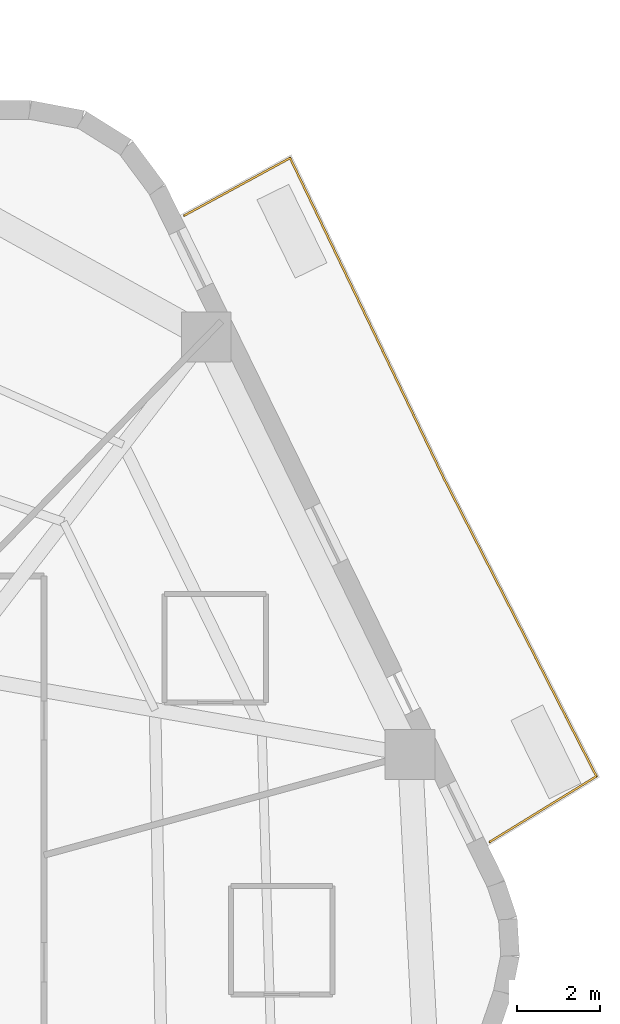
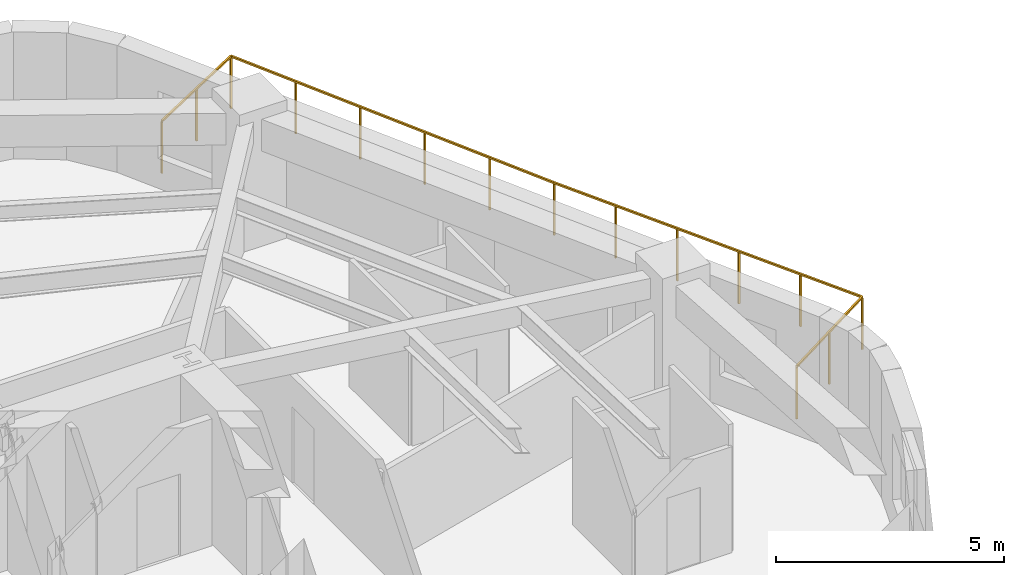
# One storey, part 9 of 9: 1 railing.
"""IFC4 building model written with IfcOpenShell, lengths in metres."""

from ifc_helpers import new_model, si_unit, direction, frame, origin, origin_2d, place, context, subcontext, project, spatial, rectangle, extrude, material, layer, layer_set, type_object, element, save


model = new_model("IFC4")

# Units and contexts
model_context = context("Model", 3, precision=1e-05, world=origin(), true_north=direction((0.0, 1.0)))
body_context = subcontext(model_context, "Body", "Model", "MODEL_VIEW")
ifc_project = project(units=[si_unit("LENGTHUNIT", "METRE"), si_unit("AREAUNIT", "SQUARE_METRE"), si_unit("VOLUMEUNIT", "CUBIC_METRE"), si_unit("PLANEANGLEUNIT", "RADIAN"), si_unit("MASSUNIT", "GRAM", prefix="KILO")], contexts=[model_context])

# Site, building, storey
site_placement = place(None, origin())
site = spatial("IfcSite", under=ifc_project, at=site_placement, CompositionType="ELEMENT")
building_placement = place(site_placement, origin())
building = spatial("IfcBuilding", under=site, at=building_placement, Name="Kilnhurst Terrace Hotel", CompositionType="ELEMENT")
storey_placement = place(building_placement, frame((0.0, 0.0, 128.39990234375)))
storey = spatial("IfcBuildingStorey", under=building, at=storey_placement, Name="L31", CompositionType="ELEMENT", Elevation=128.39990234375)

# Railing
ifc_material = material(Name="Laminated SentryGlas and Stainless Steel AISI 316L Balustrade", Category="steel")
ifc_layer = layer(ifc_material, 0.070068359375, Name="Laminated SentryGlas and Stainless Steel AISI 316L Balustrade")
ifc_layer_set = layer_set([ifc_layer], Name="Laminated SentryGlas and Stainless Steel AISI 316L Balustrade")
railing_type = type_object("IfcRailingType", Name="RLG-BAL-1420", PredefinedType="BALUSTRADE", material=ifc_layer_set)
railing_placement = place(storey_placement, frame((14.722900390625, 18.529541015625, 0.0)))
element("IfcRailing", 1, at=railing_placement, inside=storey, type_object=railing_type, Name="L31 Exterior Terrace Guardrail BAL-L1A.1", PredefinedType="BALUSTRADE", context=body_context, shape_type="SweptSolid", body=[
    extrude(rectangle(XDim=0.048095703125, YDim=0.048095703125, at=origin_2d()), frame((0.0, 0.0, 1.39599609375), z_axis=(0.878553207741, 0.477644492451, 0.0), x_axis=(-0.477644492451, 0.878553207741, 0.0)), (0.0, 0.0, 1.0), 2.90478515625),
    extrude(rectangle(XDim=0.048095703125, YDim=0.048095703125, at=origin_2d()), frame((2.552001953125, 1.387451171875, 1.39599609375), z_axis=(0.43291229924, -0.901436043858, 0.0), x_axis=(0.901436043858, 0.43291229924, 0.0)), (0.0, 0.0, 1.0), 8.583251953125),
    extrude(rectangle(XDim=0.048095703125, YDim=0.048095703125, at=origin_2d()), frame((6.267822265625, -6.349853515625, 1.39599609375), z_axis=(0.514495755428, -0.857492925713, 0.0), x_axis=(0.857492925713, 0.514495755428, 0.0)), (0.0, 0.0, 1.0), 0.00146484375),
    extrude(rectangle(XDim=0.048095703125, YDim=0.048095703125, at=origin_2d()), frame((6.2685546875, -6.35107421875, 1.39599609375), z_axis=(0.455744437697, -0.890110671494, 0.0), x_axis=(0.890110671494, 0.455744437697, 0.0)), (0.0, 0.0, 1.0), 8.039794921875),
    extrude(rectangle(XDim=0.048095703125, YDim=0.048095703125, at=origin_2d()), frame((9.9326171875, -13.50732421875, 1.39599609375), z_axis=(-0.85191630472, -0.523677963784, 0.0), x_axis=(0.523677963784, -0.85191630472, 0.0)), (0.0, 0.0, 1.0), 3.0205078125),
    extrude(rectangle(XDim=0.0419921875, YDim=0.0419921875, at=origin_2d()), origin(), (0.0, 0.0, 1.0), 1.371826171875),
    extrude(rectangle(XDim=0.0419921875, YDim=0.0419921875, at=origin_2d()), frame((1.27587890625, 0.69384765625, 0.0)), (0.0, 0.0, 1.0), 1.371826171875),
    extrude(rectangle(XDim=0.0419921875, YDim=0.0419921875, at=origin_2d()), frame((2.552001953125, 1.387451171875, 0.0)), (0.0, 0.0, 1.0), 1.371826171875),
    extrude(rectangle(XDim=0.0419921875, YDim=0.0419921875, at=origin_2d()), frame((3.295166015625, -0.159912109375, 0.0)), (0.0, 0.0, 1.0), 1.371826171875),
    extrude(rectangle(XDim=0.0419921875, YDim=0.0419921875, at=origin_2d()), frame((4.038330078125, -1.70751953125, 0.0)), (0.0, 0.0, 1.0), 1.371826171875),
    extrude(rectangle(XDim=0.0419921875, YDim=0.0419921875, at=origin_2d()), frame((4.781494140625, -3.2548828125, 0.0)), (0.0, 0.0, 1.0), 1.371826171875),
    extrude(rectangle(XDim=0.0419921875, YDim=0.0419921875, at=origin_2d()), frame((5.524658203125, -4.802490234375, 0.0)), (0.0, 0.0, 1.0), 1.371826171875),
    extrude(rectangle(XDim=0.0419921875, YDim=0.0419921875, at=origin_2d()), frame((6.267822265625, -6.349853515625, 0.0)), (0.0, 0.0, 1.0), 1.371826171875),
    extrude(rectangle(XDim=0.0419921875, YDim=0.0419921875, at=origin_2d()), frame((6.2685546875, -6.35107421875, 0.0)), (0.0, 0.0, 1.0), 1.371826171875),
    extrude(rectangle(XDim=0.0419921875, YDim=0.0419921875, at=origin_2d()), frame((7.00146484375, -7.7822265625, 0.0)), (0.0, 0.0, 1.0), 1.371826171875),
    extrude(rectangle(XDim=0.0419921875, YDim=0.0419921875, at=origin_2d()), frame((7.734130859375, -9.213623046875, 0.0)), (0.0, 0.0, 1.0), 1.371826171875),
    extrude(rectangle(XDim=0.0419921875, YDim=0.0419921875, at=origin_2d()), frame((8.467041015625, -10.644775390625, 0.0)), (0.0, 0.0, 1.0), 1.371826171875),
    extrude(rectangle(XDim=0.0419921875, YDim=0.0419921875, at=origin_2d()), frame((9.19970703125, -12.076171875, 0.0)), (0.0, 0.0, 1.0), 1.371826171875),
    extrude(rectangle(XDim=0.0419921875, YDim=0.0419921875, at=origin_2d()), frame((9.9326171875, -13.50732421875, 0.0)), (0.0, 0.0, 1.0), 1.371826171875),
    extrude(rectangle(XDim=0.0419921875, YDim=0.0419921875, at=origin_2d()), frame((8.64599609375, -14.29833984375, 0.0)), (0.0, 0.0, 1.0), 1.371826171875),
    extrude(rectangle(XDim=0.0419921875, YDim=0.0419921875, at=origin_2d()), frame((7.359375, -15.089111328125, 0.0)), (0.0, 0.0, 1.0), 1.371826171875),
])

save(model, "model.ifc")
